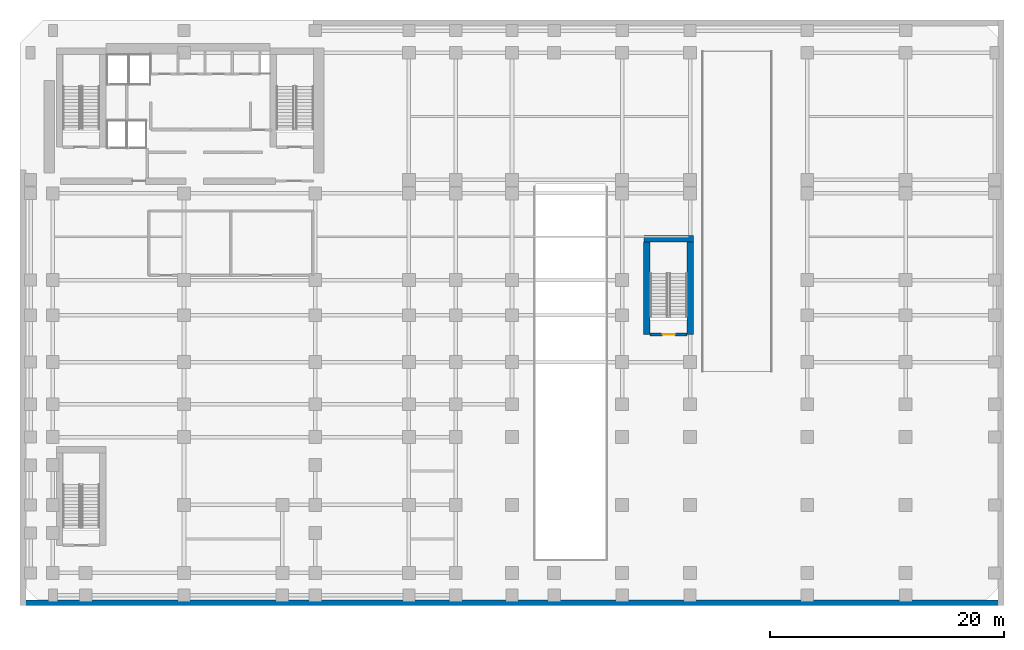
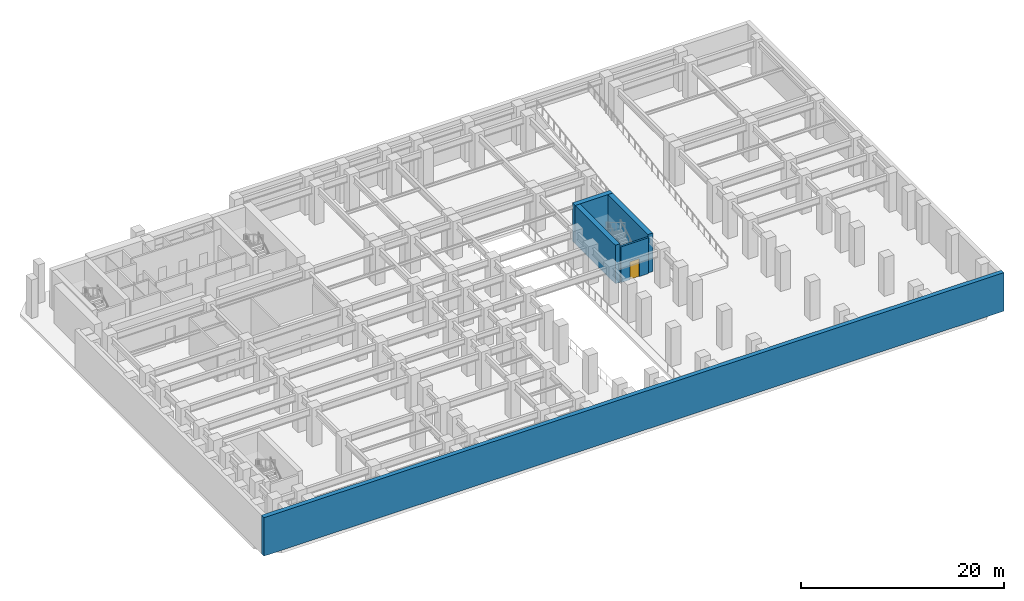
# One storey, part 6 of 12: 5 walls, 1 door, 1 opening.
"""IFC4 building model written with IfcOpenShell, lengths in metres."""

from ifc_helpers import new_model, si_unit, direction, frame, frame_2d, origin, place, context, subcontext, project, spatial, rectangle, extrude, material, layer, layer_set, type_object, element, fill, save


model = new_model("IFC4")

# Units and contexts
model_context = context("Model", 3, precision=1e-05, world=origin(), true_north=direction((0.0, 1.0)))
body_context = subcontext(model_context, "Body", "Model", "MODEL_VIEW")
ifc_project = project(units=[si_unit("LENGTHUNIT", "METRE"), si_unit("AREAUNIT", "SQUARE_METRE"), si_unit("VOLUMEUNIT", "CUBIC_METRE"), si_unit("PLANEANGLEUNIT", "RADIAN"), si_unit("MASSUNIT", "GRAM", prefix="KILO")], contexts=[model_context])

# Site, building, storey
site_placement = place(None, origin())
site = spatial("IfcSite", under=ifc_project, at=site_placement, CompositionType="ELEMENT")
building_placement = place(site_placement, origin())
building = spatial("IfcBuilding", under=site, at=building_placement, Name="Kefirva Bronze Tower", CompositionType="ELEMENT")
storey_placement = place(building_placement, frame((0.0, 0.0, -4.6201171875)))
storey = spatial("IfcBuildingStorey", under=building, at=storey_placement, Name="B1", CompositionType="ELEMENT", Elevation=-4.6201171875)

# Wall, opening, door
ifc_material_1 = material(Name="Gypsum fireboard shaftwall")
ifc_layer_1 = layer(ifc_material_1, 0.219970703125, Name="Gypsum fireboard shaftwall")
ifc_layer_set_1 = layer_set([ifc_layer_1], Name="Gypsum fireboard shaftwall")
wall_type_1 = type_object("IfcWallType", Name="Fire-Rated Shaft Enclosure Wall 220mm", PredefinedType="PARTITIONING", material=ifc_layer_set_1)
wall_1_placement = place(storey_placement, frame((51.800048828125, 21.14990234375, 0.0), z_axis=(0.0, 0.0, 1.0), x_axis=(1.0, 0.0, 0.0)))
wall_1 = element("IfcWall", 1, at=wall_1_placement, inside=storey, type_object=wall_type_1, Name="B1 Partition W-B1-ST4S", PredefinedType="PARTITIONING", context=body_context, shape_type="SweptSolid", body=[
    extrude(rectangle(XDim=3.14990234375, YDim=0.219970703125, at=frame_2d((1.574951171875, 0.0))), origin(), (0.0, 0.0, 1.0), 4.300048828125),
])
opening_placement = place(wall_1_placement, frame((2.10009765625, 0.0, 0.0), z_axis=(0.0, 0.0, 1.0), x_axis=(-1.0, 0.0, 0.0)))
opening = element("IfcOpeningElement", 2, at=opening_placement, cuts=wall_1, Name="Opening B1-D-ST4", PredefinedType="OPENING", context=body_context, shape_type="SweptSolid", body=[
    extrude(rectangle(XDim=1.050048828125, YDim=2.14990234375, at=frame_2d((0.52490234375, 1.074951171875))), frame((0.0, 0.1201171875, 0.0), z_axis=(0.0, -1.0, 0.0), x_axis=(1.0, 0.0, 0.0)), (0.0, 0.0, 1.0), 0.239990234375),
])
ifc_material_2 = material(Name="Painted galvanized steel", Category="steel")
door_type = type_object("IfcDoorType", Name="Fire Stair Enclosure Door 1050x2150 FD90S", OperationType="NOTDEFINED", PredefinedType="DOOR", material=ifc_material_2)
door_placement = place(opening_placement, origin())
door = element("IfcDoor", 3, at=door_placement, inside=storey, type_object=door_type, Name="Door B1-D-ST4", OperationType="SINGLE_SWING_LEFT", OverallHeight=2.14990234375, OverallWidth=1.050048828125, PredefinedType="DOOR", context=body_context, shape_type="SweptSolid", body=[
    extrude(rectangle(XDim=1.050048828125, YDim=2.14990234375, at=frame_2d((0.52490234375, 1.074951171875))), frame((0.0, 0.02490234375, 0.0), z_axis=(0.0, -1.0, 0.0), x_axis=(1.0, 0.0, 0.0)), (0.0, 0.0, 1.0), 0.050048828125),
])
fill(opening, door)

# Walls
ifc_material_3 = material(Name="Concrete C40/50", Category="concrete")
ifc_layer_2 = layer(ifc_material_3, 0.5, Name="Concrete C40/50")
ifc_layer_set_2 = layer_set([ifc_layer_2], Name="Concrete C40/50")
wall_type_2 = type_object("IfcWallType", Name="RC Basement Retaining Wall 500mm", PredefinedType="SOLIDWALL", material=ifc_layer_set_2)
wall_2_placement = place(storey_placement, frame((-2.0, -1.75, 0.0), z_axis=(0.0, 0.0, 1.0), x_axis=(1.0, 0.0, 0.0)))
element("IfcWall", 4, at=wall_2_placement, inside=storey, type_object=wall_type_2, Name="B1 S Retaining Wall", PredefinedType="SOLIDWALL", context=body_context, shape_type="SweptSolid", body=[
    extrude(rectangle(XDim=84.0, YDim=0.5, at=frame_2d((42.0, 0.0))), origin(), (0.0, 0.0, 1.0), 4.6201171875),
])
ifc_material_4 = material(Name="Concrete C50/60", Category="concrete")
ifc_layer_3 = layer(ifc_material_4, 0.550048828125, Name="Concrete C50/60")
ifc_layer_set_3 = layer_set([ifc_layer_3], Name="Concrete C50/60")
wall_type_3 = type_object("IfcWallType", Name="RC Rear Core Interior Wall 550mm", PredefinedType="SHEAR", material=ifc_layer_set_3)
for number, where, z_axis, x_axis, name in (
    (5, (51.52001953125, 21.14990234375, 0.0), (0.0, 0.0, 1.0), (0.0, 1.0, 0.0), "B1 Stair 4 West Shear Wall"),
    (6, (55.219970703125, 21.14990234375, 0.0), (0.0, 0.0, 1.0), (0.0, 1.0, 0.0), "B1 Stair 4 East Shear Wall"),
):
    element("IfcWall", number, at=place(storey_placement, frame(where, z_axis=z_axis, x_axis=x_axis)), inside=storey, type_object=wall_type_3, Name=name, PredefinedType="SHEAR", context=body_context, shape_type="SweptSolid", body=[
        extrude(rectangle(XDim=7.89013671875, YDim=0.550048828125, at=frame_2d((3.945068359375, 0.0))), origin(), (0.0, 0.0, 1.0), 4.6201171875),
    ])
wall_3_placement = place(storey_placement, frame((51.25, 29.320068359375, 0.0), z_axis=(0.0, 0.0, 1.0), x_axis=(1.0, 0.0, 0.0)))
element("IfcWall", 7, at=wall_3_placement, inside=storey, type_object=wall_type_3, Name="B1 Stair 4 North Shear Wall", PredefinedType="SHEAR", context=body_context, shape_type="SweptSolid", body=[
    extrude(rectangle(XDim=4.239990234375, YDim=0.550048828125, at=frame_2d((2.1201171875, 0.0))), origin(), (0.0, 0.0, 1.0), 4.6201171875),
])

save(model, "model.ifc")
